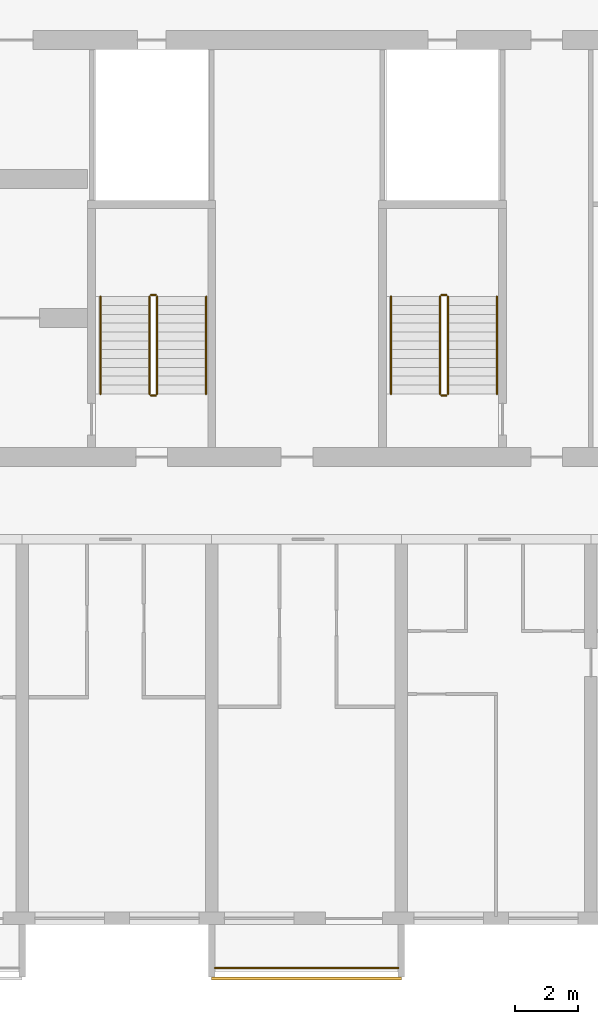
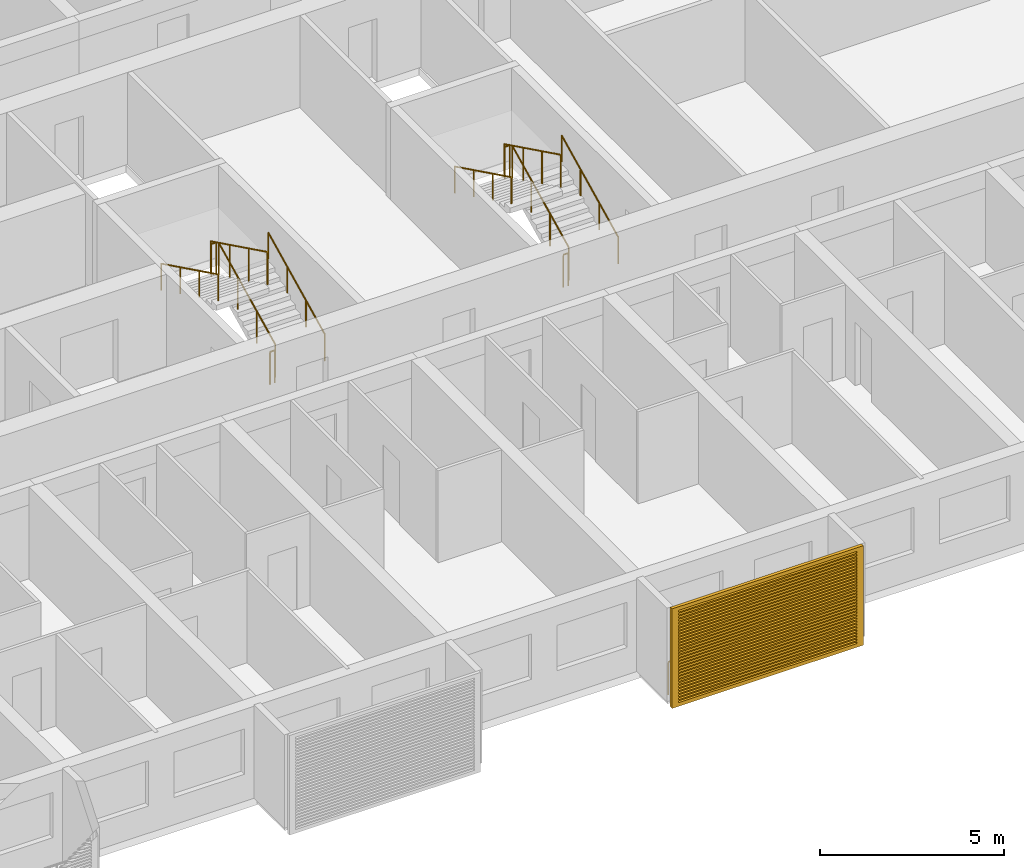
# One storey, part 38 of 44: 13 railings, 1 shading device.
"""IFC4 building model written with IfcOpenShell, lengths in metres."""

from ifc_helpers import new_model, si_unit, direction, frame, origin, origin_2d, place, context, subcontext, project, spatial, polyline, circle, outline, extrude, source, transform, mapped, material, material_profile, profile_set, type_object, element, save


model = new_model("IFC4")

# Units and contexts
model_context = context("Model", 3, precision=1e-05, world=origin(), true_north=direction((0.0, 1.0)))
body_context = subcontext(model_context, "Body", "Model", "MODEL_VIEW")
ifc_project = project(units=[si_unit("LENGTHUNIT", "METRE"), si_unit("AREAUNIT", "SQUARE_METRE"), si_unit("VOLUMEUNIT", "CUBIC_METRE"), si_unit("PLANEANGLEUNIT", "RADIAN"), si_unit("MASSUNIT", "GRAM", prefix="KILO")], contexts=[model_context])

# Site, building, storey
site_placement = place(None, origin())
site = spatial("IfcSite", under=ifc_project, at=site_placement, CompositionType="ELEMENT")
building_placement = place(site_placement, origin())
building = spatial("IfcBuilding", under=site, at=building_placement, Name="Poui Terraces", CompositionType="ELEMENT")
storey_placement = place(building_placement, frame((0.0, 0.0, 30.0)))
storey = spatial("IfcBuildingStorey", under=building, at=storey_placement, Name="L07", CompositionType="ELEMENT", Elevation=30.0)

# Railings
ifc_material_1 = material(Name="Painted steel fretwork", Category="steel")
railing_type_1 = type_object("IfcRailingType", Name="BALCONY GUARD 1100", PredefinedType="GUARDRAIL", material=ifc_material_1)
railing_1_placement = place(storey_placement, frame((72.10009765625, -1.570068359375, 0.0)))
element("IfcRailing", 1, at=railing_1_placement, inside=storey, type_object=railing_type_1, Name="BALCONY GUARD", PredefinedType="GUARDRAIL", context=body_context, shape_type="SweptSolid", body=[
    extrude(circle(Radius=0.02392578125, at=origin_2d()), frame((0.0, 0.0, 1.076171875), z_axis=(1.0, 0.0, 0.0), x_axis=(0.0, 1.0, 0.0)), (0.0, 0.0, 1.0), 5.7998046875),
    extrude(circle(Radius=0.02099609375, at=origin_2d()), origin(), (0.0, 0.0, 1.0), 1.052001953125),
    extrude(circle(Radius=0.02099609375, at=origin_2d()), frame((0.966552734375, 0.0, 0.0)), (0.0, 0.0, 1.0), 1.052001953125),
    extrude(circle(Radius=0.02099609375, at=origin_2d()), frame((1.933349609375, 0.0, 0.0)), (0.0, 0.0, 1.0), 1.052001953125),
    extrude(circle(Radius=0.02099609375, at=origin_2d()), frame((2.89990234375, 0.0, 0.0)), (0.0, 0.0, 1.0), 1.052001953125),
    extrude(circle(Radius=0.02099609375, at=origin_2d()), frame((3.866455078125, 0.0, 0.0)), (0.0, 0.0, 1.0), 1.052001953125),
    extrude(circle(Radius=0.02099609375, at=origin_2d()), frame((4.833251953125, 0.0, 0.0)), (0.0, 0.0, 1.0), 1.052001953125),
    extrude(circle(Radius=0.02099609375, at=origin_2d()), frame((5.7998046875, 0.0, 0.0)), (0.0, 0.0, 1.0), 1.052001953125),
])
ifc_material_2 = material(Name="Galvanised steel balustrade", Category="steel")
railing_type_2 = type_object("IfcRailingType", Name="STAIR GUARD 1100", PredefinedType="GUARDRAIL", material=ifc_material_2)
railing_2_placement = place(storey_placement, frame((70.27490234375, 16.60009765625, 0.137451171875)))
element("IfcRailing", 2, at=railing_2_placement, inside=storey, type_object=railing_type_2, Name="L07 ST-CE stair guard 1", PredefinedType="GUARDRAIL", context=body_context, shape_type="SweptSolid", body=[
    extrude(circle(Radius=0.02392578125, at=origin_2d()), frame((0.0, 0.0, 1.076171875), z_axis=(0.0, 0.897606190399, 0.440798283751), x_axis=(-1.0, 0.0, 0.0)), (0.0, 0.0, 1.0), 3.43115234375),
    extrude(circle(Radius=0.02099609375, at=origin_2d()), origin(), (0.0, 0.0, 1.0), 1.052001953125),
    extrude(circle(Radius=0.02099609375, at=origin_2d()), frame((0.0, 1.026611328125, 0.504150390625)), (0.0, 0.0, 1.0), 1.052001953125),
    extrude(circle(Radius=0.02099609375, at=origin_2d()), frame((0.0, 2.05322265625, 1.00830078125)), (0.0, 0.0, 1.0), 1.052001953125),
    extrude(circle(Radius=0.02099609375, at=origin_2d()), frame((0.0, 3.079833984375, 1.512451171875)), (0.0, 0.0, 1.0), 1.052001953125),
])
railing_3_placement = place(storey_placement, frame((70.22509765625, 19.72998046875, 1.64990234375)))
element("IfcRailing", 3, at=railing_3_placement, inside=storey, type_object=railing_type_2, Name="L07 ST-CE stair guard 2", PredefinedType="GUARDRAIL", context=body_context, shape_type="SweptSolid", body=[
    extrude(circle(Radius=0.02392578125, at=origin_2d()), frame((0.0, 0.0, 1.076171875), z_axis=(-1.0, 0.0, 0.0), x_axis=(0.0, -1.0, 0.0)), (0.0, 0.0, 1.0), 0.150146484375),
    extrude(circle(Radius=0.02099609375, at=origin_2d()), origin(), (0.0, 0.0, 1.0), 1.052001953125),
    extrude(circle(Radius=0.02099609375, at=origin_2d()), frame((-0.150146484375, 0.0, 0.0)), (0.0, 0.0, 1.0), 1.052001953125),
])
railing_4_placement = place(storey_placement, frame((70.02490234375, 19.679931640625, 1.78759765625)))
element("IfcRailing", 4, at=railing_4_placement, inside=storey, type_object=railing_type_2, Name="L07 ST-CE stair guard 3", PredefinedType="GUARDRAIL", context=body_context, shape_type="SweptSolid", body=[
    extrude(circle(Radius=0.02392578125, at=origin_2d()), frame((0.0, 0.0, 1.076171875), z_axis=(0.0, -0.897606190399, 0.440798283751), x_axis=(1.0, 0.0, 0.0)), (0.0, 0.0, 1.0), 3.43115234375),
    extrude(circle(Radius=0.02099609375, at=origin_2d()), origin(), (0.0, 0.0, 1.0), 1.052001953125),
    extrude(circle(Radius=0.02099609375, at=origin_2d()), frame((0.0, -1.026611328125, 0.504150390625)), (0.0, 0.0, 1.0), 1.052001953125),
    extrude(circle(Radius=0.02099609375, at=origin_2d()), frame((0.0, -2.05322265625, 1.00830078125)), (0.0, 0.0, 1.0), 1.052001953125),
    extrude(circle(Radius=0.02099609375, at=origin_2d()), frame((0.0, -3.079833984375, 1.512451171875)), (0.0, 0.0, 1.0), 1.052001953125),
])
railing_5_placement = place(storey_placement, frame((70.22509765625, 16.550048828125, 0.0)))
element("IfcRailing", 5, at=railing_5_placement, inside=storey, type_object=railing_type_2, Name="L07 ST-CE stair guard 4", PredefinedType="GUARDRAIL", context=body_context, shape_type="SweptSolid", body=[
    extrude(circle(Radius=0.02392578125, at=origin_2d()), frame((0.0, 0.0, 1.076171875), z_axis=(-1.0, 0.0, 0.0), x_axis=(0.0, -1.0, 0.0)), (0.0, 0.0, 1.0), 0.150146484375),
    extrude(circle(Radius=0.02099609375, at=origin_2d()), origin(), (0.0, 0.0, 1.0), 1.052001953125),
    extrude(circle(Radius=0.02099609375, at=origin_2d()), frame((-0.150146484375, 0.0, 0.0)), (0.0, 0.0, 1.0), 1.052001953125),
])
railing_6_placement = place(storey_placement, frame((79.47509765625, 16.60009765625, 0.137451171875)))
element("IfcRailing", 6, at=railing_6_placement, inside=storey, type_object=railing_type_2, Name="L07 ST-E stair guard 1", PredefinedType="GUARDRAIL", context=body_context, shape_type="SweptSolid", body=[
    extrude(circle(Radius=0.02392578125, at=origin_2d()), frame((0.0, 0.0, 1.076171875), z_axis=(0.0, 0.897606190399, 0.440798283751), x_axis=(-1.0, 0.0, 0.0)), (0.0, 0.0, 1.0), 3.43115234375),
    extrude(circle(Radius=0.02099609375, at=origin_2d()), origin(), (0.0, 0.0, 1.0), 1.052001953125),
    extrude(circle(Radius=0.02099609375, at=origin_2d()), frame((0.0, 1.026611328125, 0.504150390625)), (0.0, 0.0, 1.0), 1.052001953125),
    extrude(circle(Radius=0.02099609375, at=origin_2d()), frame((0.0, 2.05322265625, 1.00830078125)), (0.0, 0.0, 1.0), 1.052001953125),
    extrude(circle(Radius=0.02099609375, at=origin_2d()), frame((0.0, 3.079833984375, 1.512451171875)), (0.0, 0.0, 1.0), 1.052001953125),
])
railing_7_placement = place(storey_placement, frame((79.425048828125, 19.72998046875, 1.64990234375)))
element("IfcRailing", 7, at=railing_7_placement, inside=storey, type_object=railing_type_2, Name="L07 ST-E stair guard 2", PredefinedType="GUARDRAIL", context=body_context, shape_type="SweptSolid", body=[
    extrude(circle(Radius=0.02392578125, at=origin_2d()), frame((0.0, 0.0, 1.076171875), z_axis=(-1.0, 0.0, 0.0), x_axis=(0.0, -1.0, 0.0)), (0.0, 0.0, 1.0), 0.150146484375),
    extrude(circle(Radius=0.02099609375, at=origin_2d()), origin(), (0.0, 0.0, 1.0), 1.052001953125),
    extrude(circle(Radius=0.02099609375, at=origin_2d()), frame((-0.150146484375, 0.0, 0.0)), (0.0, 0.0, 1.0), 1.052001953125),
])
railing_8_placement = place(storey_placement, frame((79.22509765625, 19.679931640625, 1.78759765625)))
element("IfcRailing", 8, at=railing_8_placement, inside=storey, type_object=railing_type_2, Name="L07 ST-E stair guard 3", PredefinedType="GUARDRAIL", context=body_context, shape_type="SweptSolid", body=[
    extrude(circle(Radius=0.02392578125, at=origin_2d()), frame((0.0, 0.0, 1.076171875), z_axis=(0.0, -0.897606190399, 0.440798283751), x_axis=(1.0, 0.0, 0.0)), (0.0, 0.0, 1.0), 3.43115234375),
    extrude(circle(Radius=0.02099609375, at=origin_2d()), origin(), (0.0, 0.0, 1.0), 1.052001953125),
    extrude(circle(Radius=0.02099609375, at=origin_2d()), frame((0.0, -1.026611328125, 0.504150390625)), (0.0, 0.0, 1.0), 1.052001953125),
    extrude(circle(Radius=0.02099609375, at=origin_2d()), frame((0.0, -2.05322265625, 1.00830078125)), (0.0, 0.0, 1.0), 1.052001953125),
    extrude(circle(Radius=0.02099609375, at=origin_2d()), frame((0.0, -3.079833984375, 1.512451171875)), (0.0, 0.0, 1.0), 1.052001953125),
])
railing_9_placement = place(storey_placement, frame((79.425048828125, 16.550048828125, 0.0)))
element("IfcRailing", 9, at=railing_9_placement, inside=storey, type_object=railing_type_2, Name="L07 ST-E stair guard 4", PredefinedType="GUARDRAIL", context=body_context, shape_type="SweptSolid", body=[
    extrude(circle(Radius=0.02392578125, at=origin_2d()), frame((0.0, 0.0, 1.076171875), z_axis=(-1.0, 0.0, 0.0), x_axis=(0.0, -1.0, 0.0)), (0.0, 0.0, 1.0), 0.150146484375),
    extrude(circle(Radius=0.02099609375, at=origin_2d()), origin(), (0.0, 0.0, 1.0), 1.052001953125),
    extrude(circle(Radius=0.02099609375, at=origin_2d()), frame((-0.150146484375, 0.0, 0.0)), (0.0, 0.0, 1.0), 1.052001953125),
])
ifc_material_3 = material(Name="Stainless steel handrail", Category="steel")
railing_type_3 = type_object("IfcRailingType", Name="STAIR HANDRAIL 900", PredefinedType="HANDRAIL", material=ifc_material_3)
railing_10_placement = place(storey_placement, frame((71.824951171875, 16.60009765625, 0.137451171875)))
element("IfcRailing", 10, at=railing_10_placement, inside=storey, type_object=railing_type_3, Name="L07 ST-CE stair handrail 1", PredefinedType="HANDRAIL", context=body_context, shape_type="SweptSolid", body=[
    extrude(circle(Radius=0.02392578125, at=origin_2d()), frame((0.0, 0.0, 0.8759765625), z_axis=(0.0, 0.897606190399, 0.440798283751), x_axis=(-1.0, 0.0, 0.0)), (0.0, 0.0, 1.0), 3.43115234375),
    extrude(circle(Radius=0.02099609375, at=origin_2d()), origin(), (0.0, 0.0, 1.0), 0.851806640625),
    extrude(circle(Radius=0.02099609375, at=origin_2d()), frame((0.0, 1.026611328125, 0.504150390625)), (0.0, 0.0, 1.0), 0.851806640625),
    extrude(circle(Radius=0.02099609375, at=origin_2d()), frame((0.0, 2.05322265625, 1.00830078125)), (0.0, 0.0, 1.0), 0.851806640625),
    extrude(circle(Radius=0.02099609375, at=origin_2d()), frame((0.0, 3.079833984375, 1.512451171875)), (0.0, 0.0, 1.0), 0.851806640625),
])
railing_11_placement = place(storey_placement, frame((68.47509765625, 19.679931640625, 1.78759765625)))
element("IfcRailing", 11, at=railing_11_placement, inside=storey, type_object=railing_type_3, Name="L07 ST-CE stair handrail 2", PredefinedType="HANDRAIL", context=body_context, shape_type="SweptSolid", body=[
    extrude(circle(Radius=0.02392578125, at=origin_2d()), frame((0.0, 0.0, 0.8759765625), z_axis=(0.0, -0.897606190399, 0.440798283751), x_axis=(1.0, 0.0, 0.0)), (0.0, 0.0, 1.0), 3.43115234375),
    extrude(circle(Radius=0.02099609375, at=origin_2d()), origin(), (0.0, 0.0, 1.0), 0.851806640625),
    extrude(circle(Radius=0.02099609375, at=origin_2d()), frame((0.0, -1.026611328125, 0.504150390625)), (0.0, 0.0, 1.0), 0.851806640625),
    extrude(circle(Radius=0.02099609375, at=origin_2d()), frame((0.0, -2.05322265625, 1.00830078125)), (0.0, 0.0, 1.0), 0.851806640625),
    extrude(circle(Radius=0.02099609375, at=origin_2d()), frame((0.0, -3.079833984375, 1.512451171875)), (0.0, 0.0, 1.0), 0.851806640625),
])
railing_12_placement = place(storey_placement, frame((81.02490234375, 16.60009765625, 0.137451171875)))
element("IfcRailing", 12, at=railing_12_placement, inside=storey, type_object=railing_type_3, Name="L07 ST-E stair handrail 1", PredefinedType="HANDRAIL", context=body_context, shape_type="SweptSolid", body=[
    extrude(circle(Radius=0.02392578125, at=origin_2d()), frame((0.0, 0.0, 0.8759765625), z_axis=(0.0, 0.897606190399, 0.440798283751), x_axis=(-1.0, 0.0, 0.0)), (0.0, 0.0, 1.0), 3.43115234375),
    extrude(circle(Radius=0.02099609375, at=origin_2d()), origin(), (0.0, 0.0, 1.0), 0.851806640625),
    extrude(circle(Radius=0.02099609375, at=origin_2d()), frame((0.0, 1.026611328125, 0.504150390625)), (0.0, 0.0, 1.0), 0.851806640625),
    extrude(circle(Radius=0.02099609375, at=origin_2d()), frame((0.0, 2.05322265625, 1.00830078125)), (0.0, 0.0, 1.0), 0.851806640625),
    extrude(circle(Radius=0.02099609375, at=origin_2d()), frame((0.0, 3.079833984375, 1.512451171875)), (0.0, 0.0, 1.0), 0.851806640625),
])
railing_13_placement = place(storey_placement, frame((77.675048828125, 19.679931640625, 1.78759765625)))
element("IfcRailing", 13, at=railing_13_placement, inside=storey, type_object=railing_type_3, Name="L07 ST-E stair handrail 2", PredefinedType="HANDRAIL", context=body_context, shape_type="SweptSolid", body=[
    extrude(circle(Radius=0.02392578125, at=origin_2d()), frame((0.0, 0.0, 0.8759765625), z_axis=(0.0, -0.897606190399, 0.440798283751), x_axis=(1.0, 0.0, 0.0)), (0.0, 0.0, 1.0), 3.43115234375),
    extrude(circle(Radius=0.02099609375, at=origin_2d()), origin(), (0.0, 0.0, 1.0), 0.851806640625),
    extrude(circle(Radius=0.02099609375, at=origin_2d()), frame((0.0, -1.026611328125, 0.504150390625)), (0.0, 0.0, 1.0), 0.851806640625),
    extrude(circle(Radius=0.02099609375, at=origin_2d()), frame((0.0, -2.05322265625, 1.00830078125)), (0.0, 0.0, 1.0), 0.851806640625),
    extrude(circle(Radius=0.02099609375, at=origin_2d()), frame((0.0, -3.079833984375, 1.512451171875)), (0.0, 0.0, 1.0), 0.851806640625),
])

# Shading device
ifc_material_4 = material(Name="Aluminium louvre", Category="aluminium")
ifc_material_profile = material_profile(ifc_material_4, outline(polyline([(-3.0, -1.64990234375), (3.0, -1.64990234375), (3.0, 1.64990234375), (-3.0, 1.64990234375), (-3.0, -1.64990234375)]), holes=[polyline([(-2.800048828125, -1.530029296875), (2.800048828125, -1.530029296875), (2.800048828125, -1.469970703125), (-2.800048828125, -1.469970703125), (-2.800048828125, -1.530029296875)]), polyline([(-2.800048828125, -1.429931640625), (2.800048828125, -1.429931640625), (2.800048828125, -1.3701171875), (-2.800048828125, -1.3701171875), (-2.800048828125, -1.429931640625)]), polyline([(-2.800048828125, -1.330078125), (2.800048828125, -1.330078125), (2.800048828125, -1.27001953125), (-2.800048828125, -1.27001953125), (-2.800048828125, -1.330078125)]), polyline([(-2.800048828125, -1.22998046875), (2.800048828125, -1.22998046875), (2.800048828125, -1.169921875), (-2.800048828125, -1.169921875), (-2.800048828125, -1.22998046875)]), polyline([(-2.800048828125, -1.1298828125), (2.800048828125, -1.1298828125), (2.800048828125, -1.070068359375), (-2.800048828125, -1.070068359375), (-2.800048828125, -1.1298828125)]), polyline([(-2.800048828125, -1.030029296875), (2.800048828125, -1.030029296875), (2.800048828125, -0.969970703125), (-2.800048828125, -0.969970703125), (-2.800048828125, -1.030029296875)]), polyline([(-2.800048828125, -0.929931640625), (2.800048828125, -0.929931640625), (2.800048828125, -0.8701171875), (-2.800048828125, -0.8701171875), (-2.800048828125, -0.929931640625)]), polyline([(-2.800048828125, -0.830078125), (2.800048828125, -0.830078125), (2.800048828125, -0.77001953125), (-2.800048828125, -0.77001953125), (-2.800048828125, -0.830078125)]), polyline([(-2.800048828125, -0.72998046875), (2.800048828125, -0.72998046875), (2.800048828125, -0.669921875), (-2.800048828125, -0.669921875), (-2.800048828125, -0.72998046875)]), polyline([(-2.800048828125, -0.6298828125), (2.800048828125, -0.6298828125), (2.800048828125, -0.570068359375), (-2.800048828125, -0.570068359375), (-2.800048828125, -0.6298828125)]), polyline([(-2.800048828125, -0.530029296875), (2.800048828125, -0.530029296875), (2.800048828125, -0.469970703125), (-2.800048828125, -0.469970703125), (-2.800048828125, -0.530029296875)]), polyline([(-2.800048828125, -0.429931640625), (2.800048828125, -0.429931640625), (2.800048828125, -0.3701171875), (-2.800048828125, -0.3701171875), (-2.800048828125, -0.429931640625)]), polyline([(-2.800048828125, -0.330078125), (2.800048828125, -0.330078125), (2.800048828125, -0.27001953125), (-2.800048828125, -0.27001953125), (-2.800048828125, -0.330078125)]), polyline([(-2.800048828125, -0.22998046875), (2.800048828125, -0.22998046875), (2.800048828125, -0.169921875), (-2.800048828125, -0.169921875), (-2.800048828125, -0.22998046875)]), polyline([(-2.800048828125, -0.1298828125), (2.800048828125, -0.1298828125), (2.800048828125, -0.070068359375), (-2.800048828125, -0.070068359375), (-2.800048828125, -0.1298828125)]), polyline([(-2.800048828125, -0.030029296875), (2.800048828125, -0.030029296875), (2.800048828125, 0.030029296875), (-2.800048828125, 0.030029296875), (-2.800048828125, -0.030029296875)]), polyline([(-2.800048828125, 0.070068359375), (2.800048828125, 0.070068359375), (2.800048828125, 0.1298828125), (-2.800048828125, 0.1298828125), (-2.800048828125, 0.070068359375)]), polyline([(-2.800048828125, 0.169921875), (2.800048828125, 0.169921875), (2.800048828125, 0.22998046875), (-2.800048828125, 0.22998046875), (-2.800048828125, 0.169921875)]), polyline([(-2.800048828125, 0.27001953125), (2.800048828125, 0.27001953125), (2.800048828125, 0.330078125), (-2.800048828125, 0.330078125), (-2.800048828125, 0.27001953125)]), polyline([(-2.800048828125, 0.3701171875), (2.800048828125, 0.3701171875), (2.800048828125, 0.429931640625), (-2.800048828125, 0.429931640625), (-2.800048828125, 0.3701171875)]), polyline([(-2.800048828125, 0.469970703125), (2.800048828125, 0.469970703125), (2.800048828125, 0.530029296875), (-2.800048828125, 0.530029296875), (-2.800048828125, 0.469970703125)]), polyline([(-2.800048828125, 0.570068359375), (2.800048828125, 0.570068359375), (2.800048828125, 0.6298828125), (-2.800048828125, 0.6298828125), (-2.800048828125, 0.570068359375)]), polyline([(-2.800048828125, 0.669921875), (2.800048828125, 0.669921875), (2.800048828125, 0.72998046875), (-2.800048828125, 0.72998046875), (-2.800048828125, 0.669921875)]), polyline([(-2.800048828125, 0.77001953125), (2.800048828125, 0.77001953125), (2.800048828125, 0.830078125), (-2.800048828125, 0.830078125), (-2.800048828125, 0.77001953125)]), polyline([(-2.800048828125, 0.8701171875), (2.800048828125, 0.8701171875), (2.800048828125, 0.929931640625), (-2.800048828125, 0.929931640625), (-2.800048828125, 0.8701171875)]), polyline([(-2.800048828125, 0.969970703125), (2.800048828125, 0.969970703125), (2.800048828125, 1.030029296875), (-2.800048828125, 1.030029296875), (-2.800048828125, 0.969970703125)]), polyline([(-2.800048828125, 1.070068359375), (2.800048828125, 1.070068359375), (2.800048828125, 1.1298828125), (-2.800048828125, 1.1298828125), (-2.800048828125, 1.070068359375)]), polyline([(-2.800048828125, 1.169921875), (2.800048828125, 1.169921875), (2.800048828125, 1.22998046875), (-2.800048828125, 1.22998046875), (-2.800048828125, 1.169921875)]), polyline([(-2.800048828125, 1.27001953125), (2.800048828125, 1.27001953125), (2.800048828125, 1.330078125), (-2.800048828125, 1.330078125), (-2.800048828125, 1.27001953125)]), polyline([(-2.800048828125, 1.3701171875), (2.800048828125, 1.3701171875), (2.800048828125, 1.429931640625), (-2.800048828125, 1.429931640625), (-2.800048828125, 1.3701171875)]), polyline([(-2.800048828125, 1.469970703125), (2.800048828125, 1.469970703125), (2.800048828125, 1.530029296875), (-2.800048828125, 1.530029296875), (-2.800048828125, 1.469970703125)])]), Name="JALOUSIE LOUVRE SHUTTER 6000X3300")
ifc_profile_set = profile_set([ifc_material_profile], Name="Aluminium louvre")
shading_device_type = type_object("IfcShadingDeviceType", Name="JALOUSIE LOUVRE SHUTTER 6000X3300", PredefinedType="JALOUSIE", material=ifc_profile_set)
shared_shape = source(origin(), body_context, "Body", "SweptSolid", [
    extrude(outline(polyline([(-3.0, -1.64990234375), (3.0, -1.64990234375), (3.0, 1.64990234375), (-3.0, 1.64990234375), (-3.0, -1.64990234375)]), holes=[polyline([(-2.800048828125, -1.530029296875), (2.800048828125, -1.530029296875), (2.800048828125, -1.469970703125), (-2.800048828125, -1.469970703125), (-2.800048828125, -1.530029296875)]), polyline([(-2.800048828125, -1.429931640625), (2.800048828125, -1.429931640625), (2.800048828125, -1.3701171875), (-2.800048828125, -1.3701171875), (-2.800048828125, -1.429931640625)]), polyline([(-2.800048828125, -1.330078125), (2.800048828125, -1.330078125), (2.800048828125, -1.27001953125), (-2.800048828125, -1.27001953125), (-2.800048828125, -1.330078125)]), polyline([(-2.800048828125, -1.22998046875), (2.800048828125, -1.22998046875), (2.800048828125, -1.169921875), (-2.800048828125, -1.169921875), (-2.800048828125, -1.22998046875)]), polyline([(-2.800048828125, -1.1298828125), (2.800048828125, -1.1298828125), (2.800048828125, -1.070068359375), (-2.800048828125, -1.070068359375), (-2.800048828125, -1.1298828125)]), polyline([(-2.800048828125, -1.030029296875), (2.800048828125, -1.030029296875), (2.800048828125, -0.969970703125), (-2.800048828125, -0.969970703125), (-2.800048828125, -1.030029296875)]), polyline([(-2.800048828125, -0.929931640625), (2.800048828125, -0.929931640625), (2.800048828125, -0.8701171875), (-2.800048828125, -0.8701171875), (-2.800048828125, -0.929931640625)]), polyline([(-2.800048828125, -0.830078125), (2.800048828125, -0.830078125), (2.800048828125, -0.77001953125), (-2.800048828125, -0.77001953125), (-2.800048828125, -0.830078125)]), polyline([(-2.800048828125, -0.72998046875), (2.800048828125, -0.72998046875), (2.800048828125, -0.669921875), (-2.800048828125, -0.669921875), (-2.800048828125, -0.72998046875)]), polyline([(-2.800048828125, -0.6298828125), (2.800048828125, -0.6298828125), (2.800048828125, -0.570068359375), (-2.800048828125, -0.570068359375), (-2.800048828125, -0.6298828125)]), polyline([(-2.800048828125, -0.530029296875), (2.800048828125, -0.530029296875), (2.800048828125, -0.469970703125), (-2.800048828125, -0.469970703125), (-2.800048828125, -0.530029296875)]), polyline([(-2.800048828125, -0.429931640625), (2.800048828125, -0.429931640625), (2.800048828125, -0.3701171875), (-2.800048828125, -0.3701171875), (-2.800048828125, -0.429931640625)]), polyline([(-2.800048828125, -0.330078125), (2.800048828125, -0.330078125), (2.800048828125, -0.27001953125), (-2.800048828125, -0.27001953125), (-2.800048828125, -0.330078125)]), polyline([(-2.800048828125, -0.22998046875), (2.800048828125, -0.22998046875), (2.800048828125, -0.169921875), (-2.800048828125, -0.169921875), (-2.800048828125, -0.22998046875)]), polyline([(-2.800048828125, -0.1298828125), (2.800048828125, -0.1298828125), (2.800048828125, -0.070068359375), (-2.800048828125, -0.070068359375), (-2.800048828125, -0.1298828125)]), polyline([(-2.800048828125, -0.030029296875), (2.800048828125, -0.030029296875), (2.800048828125, 0.030029296875), (-2.800048828125, 0.030029296875), (-2.800048828125, -0.030029296875)]), polyline([(-2.800048828125, 0.070068359375), (2.800048828125, 0.070068359375), (2.800048828125, 0.1298828125), (-2.800048828125, 0.1298828125), (-2.800048828125, 0.070068359375)]), polyline([(-2.800048828125, 0.169921875), (2.800048828125, 0.169921875), (2.800048828125, 0.22998046875), (-2.800048828125, 0.22998046875), (-2.800048828125, 0.169921875)]), polyline([(-2.800048828125, 0.27001953125), (2.800048828125, 0.27001953125), (2.800048828125, 0.330078125), (-2.800048828125, 0.330078125), (-2.800048828125, 0.27001953125)]), polyline([(-2.800048828125, 0.3701171875), (2.800048828125, 0.3701171875), (2.800048828125, 0.429931640625), (-2.800048828125, 0.429931640625), (-2.800048828125, 0.3701171875)]), polyline([(-2.800048828125, 0.469970703125), (2.800048828125, 0.469970703125), (2.800048828125, 0.530029296875), (-2.800048828125, 0.530029296875), (-2.800048828125, 0.469970703125)]), polyline([(-2.800048828125, 0.570068359375), (2.800048828125, 0.570068359375), (2.800048828125, 0.6298828125), (-2.800048828125, 0.6298828125), (-2.800048828125, 0.570068359375)]), polyline([(-2.800048828125, 0.669921875), (2.800048828125, 0.669921875), (2.800048828125, 0.72998046875), (-2.800048828125, 0.72998046875), (-2.800048828125, 0.669921875)]), polyline([(-2.800048828125, 0.77001953125), (2.800048828125, 0.77001953125), (2.800048828125, 0.830078125), (-2.800048828125, 0.830078125), (-2.800048828125, 0.77001953125)]), polyline([(-2.800048828125, 0.8701171875), (2.800048828125, 0.8701171875), (2.800048828125, 0.929931640625), (-2.800048828125, 0.929931640625), (-2.800048828125, 0.8701171875)]), polyline([(-2.800048828125, 0.969970703125), (2.800048828125, 0.969970703125), (2.800048828125, 1.030029296875), (-2.800048828125, 1.030029296875), (-2.800048828125, 0.969970703125)]), polyline([(-2.800048828125, 1.070068359375), (2.800048828125, 1.070068359375), (2.800048828125, 1.1298828125), (-2.800048828125, 1.1298828125), (-2.800048828125, 1.070068359375)]), polyline([(-2.800048828125, 1.169921875), (2.800048828125, 1.169921875), (2.800048828125, 1.22998046875), (-2.800048828125, 1.22998046875), (-2.800048828125, 1.169921875)]), polyline([(-2.800048828125, 1.27001953125), (2.800048828125, 1.27001953125), (2.800048828125, 1.330078125), (-2.800048828125, 1.330078125), (-2.800048828125, 1.27001953125)]), polyline([(-2.800048828125, 1.3701171875), (2.800048828125, 1.3701171875), (2.800048828125, 1.429931640625), (-2.800048828125, 1.429931640625), (-2.800048828125, 1.3701171875)]), polyline([(-2.800048828125, 1.469970703125), (2.800048828125, 1.469970703125), (2.800048828125, 1.530029296875), (-2.800048828125, 1.530029296875), (-2.800048828125, 1.469970703125)])]), origin(), (0.0, 0.0, 1.0), 0.099853515625),
])
shading_device_placement = place(storey_placement, frame((75.0, -1.85009765625, 1.449951171875), z_axis=(0.0, -1.0, 0.0), x_axis=(1.0, 0.0, 0.0)))
element("IfcShadingDevice", 14, at=shading_device_placement, inside=storey, type_object=shading_device_type, Name="JALOUSIE LOUVRE SHUTTER", PredefinedType="JALOUSIE", context=body_context, shape_type="MappedRepresentation", body=[
    mapped(shared_shape, transform((0.0, 0.0, 0.0))),
])

save(model, "model.ifc")
